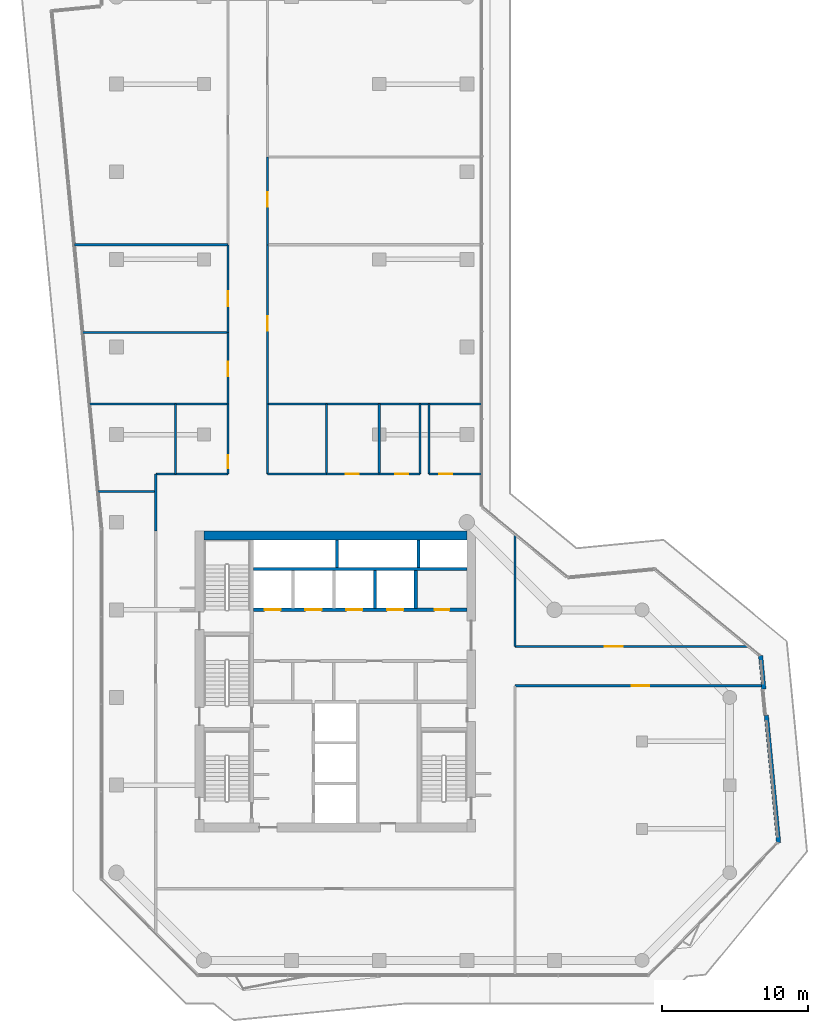
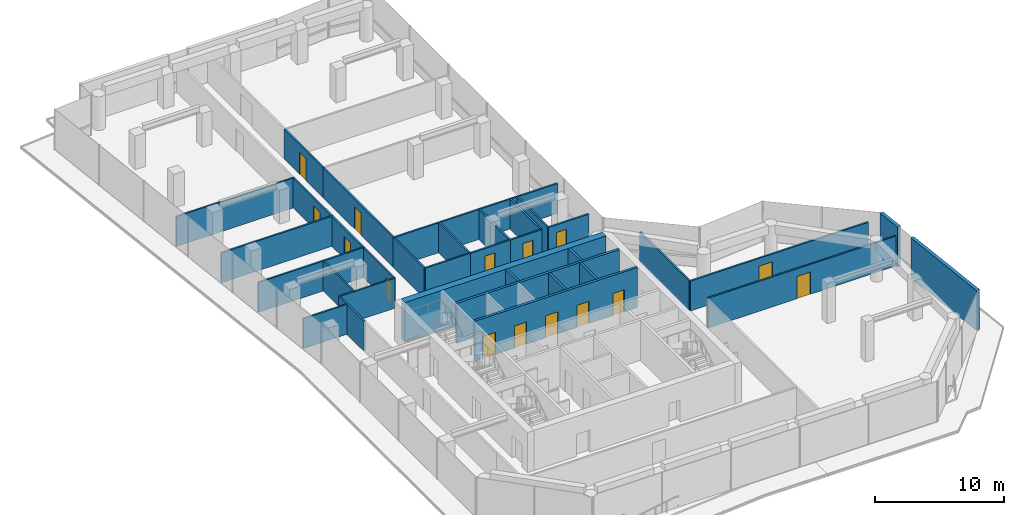
# One storey, part 19 of 22: 34 walls, 15 doors, 15 openings.
"""IFC4 building model written with IfcOpenShell, lengths in metres."""

from ifc_helpers import new_model, si_unit, direction, frame, frame_2d, origin, place, context, subcontext, project, spatial, rectangle, extrude, material, layer, layer_set, type_object, element, fill, save


model = new_model("IFC4")

# Units and contexts
model_context = context("Model", 3, precision=1e-05, world=origin(), true_north=direction((0.0, 1.0)))
body_context = subcontext(model_context, "Body", "Model", "MODEL_VIEW")
ifc_project = project(units=[si_unit("LENGTHUNIT", "METRE"), si_unit("AREAUNIT", "SQUARE_METRE"), si_unit("VOLUMEUNIT", "CUBIC_METRE"), si_unit("PLANEANGLEUNIT", "RADIAN"), si_unit("MASSUNIT", "GRAM", prefix="KILO")], contexts=[model_context])

# Site, building, storey
site_placement = place(None, origin())
site = spatial("IfcSite", under=ifc_project, at=site_placement, CompositionType="ELEMENT")
building_placement = place(site_placement, origin())
building = spatial("IfcBuilding", under=site, at=building_placement, Name="Welwitschia Terrace Campus", CompositionType="ELEMENT")
storey_placement = place(building_placement, frame((0.0, 0.0, 192.800048828125)))
storey = spatial("IfcBuildingStorey", under=building, at=storey_placement, Name="L43", CompositionType="ELEMENT", Elevation=192.800048828125)

# Wall, openings, doors
ifc_material_1 = material(Name="Concrete C32/40", Category="concrete")
ifc_layer_1 = layer(ifc_material_1, 0.22509765625)
ifc_layer_set_1 = layer_set([ifc_layer_1], Name="Concrete C32/40")
wall_type_1 = type_object("IfcWallType", Name="Core partition 225 Concrete C32/40", PredefinedType="PARTITIONING", material=ifc_layer_set_1)
wall_1_placement = place(storey_placement, frame((24.0, 20.0, 0.0), z_axis=(0.0, 0.0, 1.0), x_axis=(-1.0, 0.0, 0.0)))
wall_1 = element("IfcWall", 1, at=wall_1_placement, inside=storey, type_object=wall_type_1, Name="Shaft wall", PredefinedType="PARTITIONING", context=body_context, shape_type="SweptSolid", body=[
    extrude(rectangle(XDim=14.60009765625, YDim=0.22509765625, at=frame_2d((7.300048828125, 0.0))), origin(), (0.0, 0.0, 1.0), 3.800048828125),
])
opening_1_placement = place(wall_1_placement, frame((12.75, 0.0, 0.0)))
opening_1 = element("IfcOpeningElement", 2, at=opening_1_placement, cuts=wall_1, Name="Opening LD", PredefinedType="OPENING", context=body_context, shape_type="SweptSolid", body=[
    extrude(rectangle(XDim=1.10009765625, YDim=2.10009765625, at=frame_2d((0.550048828125, 1.050048828125))), frame((0.0, 0.12255859375, 0.0), z_axis=(0.0, -1.0, 0.0), x_axis=(1.0, 0.0, 0.0)), (0.0, 0.0, 1.0), 0.2451171875),
])
opening_2_placement = place(wall_1_placement, frame((9.949951171875, 0.0, 0.0)))
opening_2 = element("IfcOpeningElement", 3, at=opening_2_placement, cuts=wall_1, Name="Opening LD", PredefinedType="OPENING", context=body_context, shape_type="SweptSolid", body=[
    extrude(rectangle(XDim=1.10009765625, YDim=2.10009765625, at=frame_2d((0.550048828125, 1.050048828125))), frame((0.0, 0.12255859375, 0.0), z_axis=(0.0, -1.0, 0.0), x_axis=(1.0, 0.0, 0.0)), (0.0, 0.0, 1.0), 0.2451171875),
])
opening_3_placement = place(wall_1_placement, frame((7.14990234375, 0.0, 0.0)))
opening_3 = element("IfcOpeningElement", 4, at=opening_3_placement, cuts=wall_1, Name="Opening LD", PredefinedType="OPENING", context=body_context, shape_type="SweptSolid", body=[
    extrude(rectangle(XDim=1.10009765625, YDim=2.10009765625, at=frame_2d((0.550048828125, 1.050048828125))), frame((0.0, 0.12255859375, 0.0), z_axis=(0.0, -1.0, 0.0), x_axis=(1.0, 0.0, 0.0)), (0.0, 0.0, 1.0), 0.2451171875),
])
opening_4_placement = place(wall_1_placement, frame((4.35009765625, 0.0, 0.0)))
opening_4 = element("IfcOpeningElement", 5, at=opening_4_placement, cuts=wall_1, Name="Opening LD", PredefinedType="OPENING", context=body_context, shape_type="SweptSolid", body=[
    extrude(rectangle(XDim=1.10009765625, YDim=2.10009765625, at=frame_2d((0.550048828125, 1.050048828125))), frame((0.0, 0.12255859375, 0.0), z_axis=(0.0, -1.0, 0.0), x_axis=(1.0, 0.0, 0.0)), (0.0, 0.0, 1.0), 0.2451171875),
])
opening_5_placement = place(wall_1_placement, frame((1.199951171875, 0.0, 0.0)))
opening_5 = element("IfcOpeningElement", 6, at=opening_5_placement, cuts=wall_1, Name="Opening DR10", PredefinedType="OPENING", context=body_context, shape_type="SweptSolid", body=[
    extrude(rectangle(XDim=1.0, YDim=2.10009765625, at=frame_2d((0.5, 1.050048828125))), frame((0.0, 0.12255859375, 0.0), z_axis=(0.0, -1.0, 0.0), x_axis=(1.0, 0.0, 0.0)), (0.0, 0.0, 1.0), 0.2451171875),
])
ifc_material_2 = material(Name="Steel S275", Category="steel")
door_type_1 = type_object("IfcDoorType", Name="Core door DR10", OperationType="SINGLE_SWING_LEFT", PredefinedType="DOOR", material=ifc_material_2)
door_1_placement = place(opening_5_placement, origin())
door_1 = element("IfcDoor", 7, at=door_1_placement, inside=storey, type_object=door_type_1, Name="Door EH-D", OperationType="SINGLE_SWING_LEFT", OverallHeight=2.10009765625, OverallWidth=1.0, PredefinedType="DOOR", context=body_context, shape_type="SweptSolid", body=[
    extrude(rectangle(XDim=1.0, YDim=2.10009765625, at=frame_2d((0.5, 1.050048828125))), frame((0.0, 0.02490234375, 0.0), z_axis=(0.0, -1.0, 0.0), x_axis=(1.0, 0.0, 0.0)), (0.0, 0.0, 1.0), 0.050048828125),
])
fill(opening_5, door_1)
ifc_material_3 = material(Name="Stainless steel 304", Category="steel")
door_type_2 = type_object("IfcDoorType", Name="Lift landing door", OperationType="DOUBLE_DOOR_SLIDING", PredefinedType="DOOR", material=ifc_material_3)
door_2_placement = place(opening_1_placement, origin())
door_2 = element("IfcDoor", 8, at=door_2_placement, inside=storey, type_object=door_type_2, Name="Landing door HR1", OperationType="DOUBLE_DOOR_SLIDING", OverallHeight=2.10009765625, OverallWidth=1.10009765625, PredefinedType="DOOR", context=body_context, shape_type="SweptSolid", body=[
    extrude(rectangle(XDim=1.10009765625, YDim=2.10009765625, at=frame_2d((0.550048828125, 1.050048828125))), frame((0.0, 0.02490234375, 0.0), z_axis=(0.0, -1.0, 0.0), x_axis=(1.0, 0.0, 0.0)), (0.0, 0.0, 1.0), 0.050048828125),
])
fill(opening_1, door_2)
door_3_placement = place(opening_2_placement, origin())
door_3 = element("IfcDoor", 9, at=door_3_placement, inside=storey, type_object=door_type_2, Name="Landing door HR2", OperationType="DOUBLE_DOOR_SLIDING", OverallHeight=2.10009765625, OverallWidth=1.10009765625, PredefinedType="DOOR", context=body_context, shape_type="SweptSolid", body=[
    extrude(rectangle(XDim=1.10009765625, YDim=2.10009765625, at=frame_2d((0.550048828125, 1.050048828125))), frame((0.0, 0.02490234375, 0.0), z_axis=(0.0, -1.0, 0.0), x_axis=(1.0, 0.0, 0.0)), (0.0, 0.0, 1.0), 0.050048828125),
])
fill(opening_2, door_3)
door_4_placement = place(opening_3_placement, origin())
door_4 = element("IfcDoor", 10, at=door_4_placement, inside=storey, type_object=door_type_2, Name="Landing door HR3", OperationType="DOUBLE_DOOR_SLIDING", OverallHeight=2.10009765625, OverallWidth=1.10009765625, PredefinedType="DOOR", context=body_context, shape_type="SweptSolid", body=[
    extrude(rectangle(XDim=1.10009765625, YDim=2.10009765625, at=frame_2d((0.550048828125, 1.050048828125))), frame((0.0, 0.02490234375, 0.0), z_axis=(0.0, -1.0, 0.0), x_axis=(1.0, 0.0, 0.0)), (0.0, 0.0, 1.0), 0.050048828125),
])
fill(opening_3, door_4)
door_5_placement = place(opening_4_placement, origin())
door_5 = element("IfcDoor", 11, at=door_5_placement, inside=storey, type_object=door_type_2, Name="Landing door HR4", OperationType="DOUBLE_DOOR_SLIDING", OverallHeight=2.10009765625, OverallWidth=1.10009765625, PredefinedType="DOOR", context=body_context, shape_type="SweptSolid", body=[
    extrude(rectangle(XDim=1.10009765625, YDim=2.10009765625, at=frame_2d((0.550048828125, 1.050048828125))), frame((0.0, 0.02490234375, 0.0), z_axis=(0.0, -1.0, 0.0), x_axis=(1.0, 0.0, 0.0)), (0.0, 0.0, 1.0), 0.050048828125),
])
fill(opening_4, door_5)

# Walls
wall_2_placement = place(storey_placement, frame((9.39990234375, 22.800048828125, 0.0), z_axis=(0.0, 0.0, 1.0), x_axis=(1.0, 0.0, 0.0)))
element("IfcWall", 12, at=wall_2_placement, inside=storey, type_object=wall_type_1, Name="Shaft wall", PredefinedType="PARTITIONING", context=body_context, shape_type="SweptSolid", body=[
    extrude(rectangle(XDim=14.60009765625, YDim=0.22509765625, at=frame_2d((7.300048828125, 0.0))), origin(), (0.0, 0.0, 1.0), 3.800048828125),
])
wall_3_placement = place(storey_placement, frame((20.5, 20.10009765625, 0.0), z_axis=(0.0, 0.0, 1.0), x_axis=(0.0, 1.0, 0.0)))
element("IfcWall", 13, at=wall_3_placement, inside=storey, type_object=wall_type_1, Name="Shaft wall", PredefinedType="PARTITIONING", context=body_context, shape_type="SweptSolid", body=[
    extrude(rectangle(XDim=2.599853515625, YDim=0.22509765625, at=frame_2d((1.2998046875, 0.0))), origin(), (0.0, 0.0, 1.0), 3.800048828125),
])
ifc_material_4 = material(Name="Concrete C50/60", Category="concrete")
ifc_layer_2 = layer(ifc_material_4, 0.199951171875)
ifc_layer_set_2 = layer_set([ifc_layer_2], Name="Concrete C50/60")
wall_type_2 = type_object("IfcWallType", Name="Core wall 200 Concrete C50/60", PredefinedType="SHEAR", material=ifc_layer_set_2)
for number, where, z_axis, x_axis, name in (
    (14, (15.10009765625, 22.89990234375, 0.0), (0.0, 0.0, 1.0), (0.0, 1.0, 0.0), "Core wall"),
    (15, (20.699951171875, 22.89990234375, 0.0), (0.0, 0.0, 1.0), (0.0, 1.0, 0.0), "Core wall"),
):
    element("IfcWall", number, at=place(storey_placement, frame(where, z_axis=z_axis, x_axis=x_axis)), inside=storey, type_object=wall_type_2, Name=name, PredefinedType="SHEAR", context=body_context, shape_type="SweptSolid", body=[
        extrude(rectangle(XDim=1.900146484375, YDim=0.199951171875, at=frame_2d((0.9501953125, 0.0))), origin(), (0.0, 0.0, 1.0), 3.800048828125),
    ])
ifc_material_5 = material(Name="Concrete C60/75", Category="concrete")
ifc_layer_3 = layer(ifc_material_5, 0.60009765625)
ifc_layer_set_3 = layer_set([ifc_layer_3], Name="Concrete C60/75")
wall_type_3 = type_object("IfcWallType", Name="Core wall 600 Concrete C60/75", PredefinedType="SHEAR", material=ifc_layer_set_3)
wall_4_placement = place(storey_placement, frame((6.0, 25.10009765625, 0.0), z_axis=(0.0, 0.0, 1.0), x_axis=(1.0, 0.0, 0.0)))
element("IfcWall", 16, at=wall_4_placement, inside=storey, type_object=wall_type_3, Name="Core outer wall", PredefinedType="SHEAR", context=body_context, shape_type="SweptSolid", body=[
    extrude(rectangle(XDim=18.0, YDim=0.60009765625, at=frame_2d((9.0, 0.0))), origin(), (0.0, 0.0, 1.0), 3.800048828125),
])
ifc_material_6 = material(Name="Gypsum board on steel studs", Category="steel")
ifc_layer_4 = layer(ifc_material_6, 0.14990234375)
ifc_layer_set_4 = layer_set([ifc_layer_4], Name="Gypsum board on steel studs")
wall_type_4 = type_object("IfcWallType", Name="Corridor partition 150 EI 30", PredefinedType="PARTITIONING", material=ifc_layer_set_4)
wall_5_placement = place(storey_placement, frame((-2.8798828125, 45.0, 0.0), z_axis=(0.0, 0.0, 1.0), x_axis=(1.0, 0.0, 0.0)))
element("IfcWall", 17, at=wall_5_placement, inside=storey, type_object=wall_type_4, Name="Partition", PredefinedType="PARTITIONING", context=body_context, shape_type="SweptSolid", body=[
    extrude(rectangle(XDim=10.52978515625, YDim=0.14990234375, at=frame_2d((5.264892578125, 0.0))), origin(), (0.0, 0.0, 1.0), 2.829833984375),
])
wall_6_placement = place(storey_placement, frame((-2.31005859375, 39.0, 0.0), z_axis=(0.0, 0.0, 1.0), x_axis=(1.0, 0.0, 0.0)))
element("IfcWall", 18, at=wall_6_placement, inside=storey, type_object=wall_type_4, Name="Partition", PredefinedType="PARTITIONING", context=body_context, shape_type="SweptSolid", body=[
    extrude(rectangle(XDim=9.9599609375, YDim=0.14990234375, at=frame_2d((4.97998046875, 0.0))), origin(), (0.0, 0.0, 1.0), 2.829833984375),
])
wall_7_placement = place(storey_placement, frame((-1.830078125, 34.10009765625, 0.0), z_axis=(0.0, 0.0, 1.0), x_axis=(1.0, 0.0, 0.0)))
element("IfcWall", 19, at=wall_7_placement, inside=storey, type_object=wall_type_4, Name="Partition", PredefinedType="PARTITIONING", context=body_context, shape_type="SweptSolid", body=[
    extrude(rectangle(XDim=9.47998046875, YDim=0.14990234375, at=frame_2d((4.739990234375, 0.0))), origin(), (0.0, 0.0, 1.0), 2.829833984375),
])
wall_8_placement = place(storey_placement, frame((-1.260009765625, 28.10009765625, 0.0), z_axis=(0.0, 0.0, 1.0), x_axis=(1.0, 0.0, 0.0)))
element("IfcWall", 20, at=wall_8_placement, inside=storey, type_object=wall_type_4, Name="Partition", PredefinedType="PARTITIONING", context=body_context, shape_type="SweptSolid", body=[
    extrude(rectangle(XDim=3.9599609375, YDim=0.14990234375, at=frame_2d((1.97998046875, 0.0))), origin(), (0.0, 0.0, 1.0), 2.829833984375),
])
wall_9_placement = place(storey_placement, frame((2.699951171875, 25.39990234375, 0.0), z_axis=(0.0, 0.0, 1.0), x_axis=(0.0, 1.0, 0.0)))
element("IfcWall", 21, at=wall_9_placement, inside=storey, type_object=wall_type_4, Name="Partition", PredefinedType="PARTITIONING", context=body_context, shape_type="SweptSolid", body=[
    extrude(rectangle(XDim=3.900146484375, YDim=0.14990234375, at=frame_2d((1.9501953125, 0.0))), origin(), (0.0, 0.0, 1.0), 2.829833984375),
])
wall_10_placement = place(storey_placement, frame((2.699951171875, 29.300048828125, 0.0), z_axis=(0.0, 0.0, 1.0), x_axis=(1.0, 0.0, 0.0)))
element("IfcWall", 22, at=wall_10_placement, inside=storey, type_object=wall_type_4, Name="Partition", PredefinedType="PARTITIONING", context=body_context, shape_type="SweptSolid", body=[
    extrude(rectangle(XDim=4.949951171875, YDim=0.14990234375, at=frame_2d((2.47509765625, 0.0))), origin(), (0.0, 0.0, 1.0), 2.829833984375),
])
wall_11_placement = place(storey_placement, frame((4.050048828125, 29.300048828125, 0.0), z_axis=(0.0, 0.0, 1.0), x_axis=(0.0, 1.0, 0.0)))
element("IfcWall", 23, at=wall_11_placement, inside=storey, type_object=wall_type_4, Name="Partition", PredefinedType="PARTITIONING", context=body_context, shape_type="SweptSolid", body=[
    extrude(rectangle(XDim=4.800048828125, YDim=0.14990234375, at=frame_2d((2.39990234375, 0.0))), origin(), (0.0, 0.0, 1.0), 2.829833984375),
])

# Wall, opening, door
wall_12_placement = place(storey_placement, frame((7.64990234375, 29.300048828125, 0.0), z_axis=(0.0, 0.0, 1.0), x_axis=(0.0, 1.0, 0.0)))
wall_12 = element("IfcWall", 24, at=wall_12_placement, inside=storey, type_object=wall_type_4, Name="Partition", PredefinedType="PARTITIONING", context=body_context, shape_type="SweptSolid", body=[
    extrude(rectangle(XDim=4.800048828125, YDim=0.14990234375, at=frame_2d((2.39990234375, 0.0))), origin(), (0.0, 0.0, 1.0), 2.829833984375),
])
opening_6_placement = place(wall_12_placement, frame((0.39990234375, 0.0, 0.0)))
opening_6 = element("IfcOpeningElement", 25, at=opening_6_placement, cuts=wall_12, Name="Opening DI09", PredefinedType="OPENING", context=body_context, shape_type="SweptSolid", body=[
    extrude(rectangle(XDim=0.89990234375, YDim=2.10009765625, at=frame_2d((0.449951171875, 1.050048828125))), frame((0.0, 0.0849609375, 0.0), z_axis=(0.0, -1.0, 0.0), x_axis=(1.0, 0.0, 0.0)), (0.0, 0.0, 1.0), 0.169921875),
])
ifc_material_7 = material(Name="Timber veneered door", Category="wood")
door_type_3 = type_object("IfcDoorType", Name="Interior door DI09", OperationType="NOTDEFINED", PredefinedType="DOOR", material=ifc_material_7)
door_6_placement = place(opening_6_placement, origin())
door_6 = element("IfcDoor", 26, at=door_6_placement, inside=storey, type_object=door_type_3, Name="Door L43 838", OperationType="SINGLE_SWING_LEFT", OverallHeight=2.10009765625, OverallWidth=0.89990234375, PredefinedType="DOOR", context=body_context, shape_type="SweptSolid", body=[
    extrude(rectangle(XDim=0.89990234375, YDim=2.10009765625, at=frame_2d((0.449951171875, 1.050048828125))), frame((0.0, 0.02490234375, 0.0), z_axis=(0.0, -1.0, 0.0), x_axis=(1.0, 0.0, 0.0)), (0.0, 0.0, 1.0), 0.050048828125),
])
fill(opening_6, door_6)

wall_13_placement = place(storey_placement, frame((7.64990234375, 34.10009765625, 0.0), z_axis=(0.0, 0.0, 1.0), x_axis=(0.0, 1.0, 0.0)))
wall_13 = element("IfcWall", 27, at=wall_13_placement, inside=storey, type_object=wall_type_4, Name="Partition", PredefinedType="PARTITIONING", context=body_context, shape_type="SweptSolid", body=[
    extrude(rectangle(XDim=4.89990234375, YDim=0.14990234375, at=frame_2d((2.449951171875, 0.0))), origin(), (0.0, 0.0, 1.0), 2.829833984375),
])
opening_7_placement = place(wall_13_placement, frame((1.89990234375, 0.0, 0.0)))
opening_7 = element("IfcOpeningElement", 28, at=opening_7_placement, cuts=wall_13, Name="Opening DI10", PredefinedType="OPENING", context=body_context, shape_type="SweptSolid", body=[
    extrude(rectangle(XDim=1.0, YDim=2.10009765625, at=frame_2d((0.5, 1.050048828125))), frame((0.0, 0.0849609375, 0.0), z_axis=(0.0, -1.0, 0.0), x_axis=(1.0, 0.0, 0.0)), (0.0, 0.0, 1.0), 0.169921875),
])
ifc_material_8 = material(Name="Timber veneered door", Category="wood")
door_type_4 = type_object("IfcDoorType", Name="Interior door DI10", OperationType="NOTDEFINED", PredefinedType="DOOR", material=ifc_material_8)
door_7_placement = place(opening_7_placement, origin())
door_7 = element("IfcDoor", 29, at=door_7_placement, inside=storey, type_object=door_type_4, Name="Door L43 839", OperationType="SINGLE_SWING_RIGHT", OverallHeight=2.10009765625, OverallWidth=1.0, PredefinedType="DOOR", context=body_context, shape_type="SweptSolid", body=[
    extrude(rectangle(XDim=1.0, YDim=2.10009765625, at=frame_2d((0.5, 1.050048828125))), frame((0.0, 0.02490234375, 0.0), z_axis=(0.0, -1.0, 0.0), x_axis=(1.0, 0.0, 0.0)), (0.0, 0.0, 1.0), 0.050048828125),
])
fill(opening_7, door_7)

wall_14_placement = place(storey_placement, frame((7.64990234375, 39.0, 0.0), z_axis=(0.0, 0.0, 1.0), x_axis=(0.0, 1.0, 0.0)))
wall_14 = element("IfcWall", 30, at=wall_14_placement, inside=storey, type_object=wall_type_4, Name="Partition", PredefinedType="PARTITIONING", context=body_context, shape_type="SweptSolid", body=[
    extrude(rectangle(XDim=6.0, YDim=0.14990234375, at=frame_2d((3.0, 0.0))), origin(), (0.0, 0.0, 1.0), 2.829833984375),
])
opening_8_placement = place(wall_14_placement, frame((1.800048828125, 0.0, 0.0)))
opening_8 = element("IfcOpeningElement", 31, at=opening_8_placement, cuts=wall_14, Name="Opening DI10", PredefinedType="OPENING", context=body_context, shape_type="SweptSolid", body=[
    extrude(rectangle(XDim=1.0, YDim=2.10009765625, at=frame_2d((0.5, 1.050048828125))), frame((0.0, 0.0849609375, 0.0), z_axis=(0.0, -1.0, 0.0), x_axis=(1.0, 0.0, 0.0)), (0.0, 0.0, 1.0), 0.169921875),
])
door_8_placement = place(opening_8_placement, origin())
door_8 = element("IfcDoor", 32, at=door_8_placement, inside=storey, type_object=door_type_4, Name="Door L43 840", OperationType="SINGLE_SWING_LEFT", OverallHeight=2.10009765625, OverallWidth=1.0, PredefinedType="DOOR", context=body_context, shape_type="SweptSolid", body=[
    extrude(rectangle(XDim=1.0, YDim=2.10009765625, at=frame_2d((0.5, 1.050048828125))), frame((0.0, 0.02490234375, 0.0), z_axis=(0.0, -1.0, 0.0), x_axis=(1.0, 0.0, 0.0)), (0.0, 0.0, 1.0), 0.050048828125),
])
fill(opening_8, door_8)

# Walls
wall_15_placement = place(storey_placement, frame((10.35009765625, 29.300048828125, 0.0), z_axis=(0.0, 0.0, 1.0), x_axis=(0.0, 1.0, 0.0)))
element("IfcWall", 33, at=wall_15_placement, inside=storey, type_object=wall_type_4, Name="Partition", PredefinedType="PARTITIONING", context=body_context, shape_type="SweptSolid", body=[
    extrude(rectangle(XDim=4.800048828125, YDim=0.14990234375, at=frame_2d((2.39990234375, 0.0))), origin(), (0.0, 0.0, 1.0), 2.829833984375),
])
wall_16_placement = place(storey_placement, frame((10.35009765625, 29.300048828125, 0.0), z_axis=(0.0, 0.0, 1.0), x_axis=(1.0, 0.0, 0.0)))
element("IfcWall", 34, at=wall_16_placement, inside=storey, type_object=wall_type_4, Name="Partition", PredefinedType="PARTITIONING", context=body_context, shape_type="SweptSolid", body=[
    extrude(rectangle(XDim=4.0498046875, YDim=0.14990234375, at=frame_2d((2.02490234375, 0.0))), origin(), (0.0, 0.0, 1.0), 2.829833984375),
])
wall_17_placement = place(storey_placement, frame((10.35009765625, 34.10009765625, 0.0), z_axis=(0.0, 0.0, 1.0), x_axis=(1.0, 0.0, 0.0)))
element("IfcWall", 35, at=wall_17_placement, inside=storey, type_object=wall_type_4, Name="Partition", PredefinedType="PARTITIONING", context=body_context, shape_type="SweptSolid", body=[
    extrude(rectangle(XDim=14.659912109375, YDim=0.14990234375, at=frame_2d((7.330078125, 0.0))), origin(), (0.0, 0.0, 1.0), 2.829833984375),
])

# Wall, opening, door
wall_18_placement = place(storey_placement, frame((10.35009765625, 45.0, 0.0), z_axis=(0.0, 0.0, 1.0), x_axis=(0.0, -1.0, 0.0)))
wall_18 = element("IfcWall", 36, at=wall_18_placement, inside=storey, type_object=wall_type_4, Name="Partition", PredefinedType="PARTITIONING", context=body_context, shape_type="SweptSolid", body=[
    extrude(rectangle(XDim=10.89990234375, YDim=0.14990234375, at=frame_2d((5.449951171875, 0.0))), origin(), (0.0, 0.0, 1.0), 2.829833984375),
])
opening_9_placement = place(wall_18_placement, frame((4.89990234375, 0.0, 0.0)))
opening_9 = element("IfcOpeningElement", 37, at=opening_9_placement, cuts=wall_18, Name="Opening DI10", PredefinedType="OPENING", context=body_context, shape_type="SweptSolid", body=[
    extrude(rectangle(XDim=1.0, YDim=2.10009765625, at=frame_2d((0.5, 1.050048828125))), frame((0.0, 0.0849609375, 0.0), z_axis=(0.0, -1.0, 0.0), x_axis=(1.0, 0.0, 0.0)), (0.0, 0.0, 1.0), 0.169921875),
])
door_9_placement = place(opening_9_placement, origin())
door_9 = element("IfcDoor", 38, at=door_9_placement, inside=storey, type_object=door_type_4, Name="Door L43 842", OperationType="SINGLE_SWING_LEFT", OverallHeight=2.10009765625, OverallWidth=1.0, PredefinedType="DOOR", context=body_context, shape_type="SweptSolid", body=[
    extrude(rectangle(XDim=1.0, YDim=2.10009765625, at=frame_2d((0.5, 1.050048828125))), frame((0.0, 0.02490234375, 0.0), z_axis=(0.0, -1.0, 0.0), x_axis=(1.0, 0.0, 0.0)), (0.0, 0.0, 1.0), 0.050048828125),
])
fill(opening_9, door_9)

wall_19_placement = place(storey_placement, frame((10.35009765625, 51.0, 0.0), z_axis=(0.0, 0.0, 1.0), x_axis=(0.0, -1.0, 0.0)))
wall_19 = element("IfcWall", 39, at=wall_19_placement, inside=storey, type_object=wall_type_4, Name="Partition", PredefinedType="PARTITIONING", context=body_context, shape_type="SweptSolid", body=[
    extrude(rectangle(XDim=6.0, YDim=0.14990234375, at=frame_2d((3.0, 0.0))), origin(), (0.0, 0.0, 1.0), 2.829833984375),
])
opening_10_placement = place(wall_19_placement, frame((2.39990234375, 0.0, 0.0)))
opening_10 = element("IfcOpeningElement", 40, at=opening_10_placement, cuts=wall_19, Name="Opening DI10", PredefinedType="OPENING", context=body_context, shape_type="SweptSolid", body=[
    extrude(rectangle(XDim=1.0, YDim=2.10009765625, at=frame_2d((0.5, 1.050048828125))), frame((0.0, 0.0849609375, 0.0), z_axis=(0.0, -1.0, 0.0), x_axis=(1.0, 0.0, 0.0)), (0.0, 0.0, 1.0), 0.169921875),
])
door_10_placement = place(opening_10_placement, origin())
door_10 = element("IfcDoor", 41, at=door_10_placement, inside=storey, type_object=door_type_4, Name="Door L43 843", OperationType="SINGLE_SWING_RIGHT", OverallHeight=2.10009765625, OverallWidth=1.0, PredefinedType="DOOR", context=body_context, shape_type="SweptSolid", body=[
    extrude(rectangle(XDim=1.0, YDim=2.10009765625, at=frame_2d((0.5, 1.050048828125))), frame((0.0, 0.02490234375, 0.0), z_axis=(0.0, -1.0, 0.0), x_axis=(1.0, 0.0, 0.0)), (0.0, 0.0, 1.0), 0.050048828125),
])
fill(opening_10, door_10)

# Wall
wall_20_placement = place(storey_placement, frame((14.39990234375, 29.300048828125, 0.0), z_axis=(0.0, 0.0, 1.0), x_axis=(0.0, 1.0, 0.0)))
element("IfcWall", 42, at=wall_20_placement, inside=storey, type_object=wall_type_4, Name="Partition", PredefinedType="PARTITIONING", context=body_context, shape_type="SweptSolid", body=[
    extrude(rectangle(XDim=4.800048828125, YDim=0.14990234375, at=frame_2d((2.39990234375, 0.0))), origin(), (0.0, 0.0, 1.0), 2.829833984375),
])

# Wall, opening, door
wall_21_placement = place(storey_placement, frame((14.39990234375, 29.300048828125, 0.0), z_axis=(0.0, 0.0, 1.0), x_axis=(1.0, 0.0, 0.0)))
wall_21 = element("IfcWall", 43, at=wall_21_placement, inside=storey, type_object=wall_type_4, Name="Partition", PredefinedType="PARTITIONING", context=body_context, shape_type="SweptSolid", body=[
    extrude(rectangle(XDim=3.60009765625, YDim=0.14990234375, at=frame_2d((1.800048828125, 0.0))), origin(), (0.0, 0.0, 1.0), 2.829833984375),
])
opening_11_placement = place(wall_21_placement, frame((1.300048828125, 0.0, 0.0)))
opening_11 = element("IfcOpeningElement", 44, at=opening_11_placement, cuts=wall_21, Name="Opening DI09", PredefinedType="OPENING", context=body_context, shape_type="SweptSolid", body=[
    extrude(rectangle(XDim=0.89990234375, YDim=2.10009765625, at=frame_2d((0.449951171875, 1.050048828125))), frame((0.0, 0.0849609375, 0.0), z_axis=(0.0, -1.0, 0.0), x_axis=(1.0, 0.0, 0.0)), (0.0, 0.0, 1.0), 0.169921875),
])
door_11_placement = place(opening_11_placement, origin())
door_11 = element("IfcDoor", 45, at=door_11_placement, inside=storey, type_object=door_type_3, Name="Door L43 845", OperationType="SINGLE_SWING_RIGHT", OverallHeight=2.10009765625, OverallWidth=0.89990234375, PredefinedType="DOOR", context=body_context, shape_type="SweptSolid", body=[
    extrude(rectangle(XDim=0.89990234375, YDim=2.10009765625, at=frame_2d((0.449951171875, 1.050048828125))), frame((0.0, 0.02490234375, 0.0), z_axis=(0.0, -1.0, 0.0), x_axis=(1.0, 0.0, 0.0)), (0.0, 0.0, 1.0), 0.050048828125),
])
fill(opening_11, door_11)

# Wall
wall_22_placement = place(storey_placement, frame((18.0, 29.300048828125, 0.0), z_axis=(0.0, 0.0, 1.0), x_axis=(0.0, 1.0, 0.0)))
element("IfcWall", 46, at=wall_22_placement, inside=storey, type_object=wall_type_4, Name="Partition", PredefinedType="PARTITIONING", context=body_context, shape_type="SweptSolid", body=[
    extrude(rectangle(XDim=4.800048828125, YDim=0.14990234375, at=frame_2d((2.39990234375, 0.0))), origin(), (0.0, 0.0, 1.0), 2.829833984375),
])

# Wall, opening, door
wall_23_placement = place(storey_placement, frame((18.0, 29.300048828125, 0.0), z_axis=(0.0, 0.0, 1.0), x_axis=(1.0, 0.0, 0.0)))
wall_23 = element("IfcWall", 47, at=wall_23_placement, inside=storey, type_object=wall_type_4, Name="Partition", PredefinedType="PARTITIONING", context=body_context, shape_type="SweptSolid", body=[
    extrude(rectangle(XDim=2.800048828125, YDim=0.14990234375, at=frame_2d((1.39990234375, 0.0))), origin(), (0.0, 0.0, 1.0), 2.829833984375),
])
opening_12_placement = place(wall_23_placement, frame((1.10009765625, 0.0, 0.0)))
opening_12 = element("IfcOpeningElement", 48, at=opening_12_placement, cuts=wall_23, Name="Opening DI09", PredefinedType="OPENING", context=body_context, shape_type="SweptSolid", body=[
    extrude(rectangle(XDim=0.89990234375, YDim=2.10009765625, at=frame_2d((0.449951171875, 1.050048828125))), frame((0.0, 0.0849609375, 0.0), z_axis=(0.0, -1.0, 0.0), x_axis=(1.0, 0.0, 0.0)), (0.0, 0.0, 1.0), 0.169921875),
])
door_12_placement = place(opening_12_placement, origin())
door_12 = element("IfcDoor", 49, at=door_12_placement, inside=storey, type_object=door_type_3, Name="Door L43 846", OperationType="SINGLE_SWING_LEFT", OverallHeight=2.10009765625, OverallWidth=0.89990234375, PredefinedType="DOOR", context=body_context, shape_type="SweptSolid", body=[
    extrude(rectangle(XDim=0.89990234375, YDim=2.10009765625, at=frame_2d((0.449951171875, 1.050048828125))), frame((0.0, 0.02490234375, 0.0), z_axis=(0.0, -1.0, 0.0), x_axis=(1.0, 0.0, 0.0)), (0.0, 0.0, 1.0), 0.050048828125),
])
fill(opening_12, door_12)

# Walls
for number, where, z_axis, x_axis, name in (
    (50, (20.800048828125, 29.300048828125, 0.0), (0.0, 0.0, 1.0), (0.0, 1.0, 0.0), "Partition"),
    (51, (21.409912109375, 29.300048828125, 0.0), (0.0, 0.0, 1.0), (0.0, 1.0, 0.0), "Partition"),
):
    element("IfcWall", number, at=place(storey_placement, frame(where, z_axis=z_axis, x_axis=x_axis)), inside=storey, type_object=wall_type_4, Name=name, PredefinedType="PARTITIONING", context=body_context, shape_type="SweptSolid", body=[
        extrude(rectangle(XDim=4.800048828125, YDim=0.14990234375, at=frame_2d((2.39990234375, 0.0))), origin(), (0.0, 0.0, 1.0), 2.829833984375),
    ])

# Wall, opening, door
wall_24_placement = place(storey_placement, frame((21.409912109375, 29.300048828125, 0.0), z_axis=(0.0, 0.0, 1.0), x_axis=(1.0, 0.0, 0.0)))
wall_24 = element("IfcWall", 52, at=wall_24_placement, inside=storey, type_object=wall_type_4, Name="Partition", PredefinedType="PARTITIONING", context=body_context, shape_type="SweptSolid", body=[
    extrude(rectangle(XDim=3.60009765625, YDim=0.14990234375, at=frame_2d((1.800048828125, 0.0))), origin(), (0.0, 0.0, 1.0), 2.829833984375),
])
opening_13_placement = place(wall_24_placement, frame((0.699951171875, 0.0, 0.0)))
opening_13 = element("IfcOpeningElement", 53, at=opening_13_placement, cuts=wall_24, Name="Opening DI09", PredefinedType="OPENING", context=body_context, shape_type="SweptSolid", body=[
    extrude(rectangle(XDim=0.89990234375, YDim=2.10009765625, at=frame_2d((0.449951171875, 1.050048828125))), frame((0.0, 0.0849609375, 0.0), z_axis=(0.0, -1.0, 0.0), x_axis=(1.0, 0.0, 0.0)), (0.0, 0.0, 1.0), 0.169921875),
])
door_13_placement = place(opening_13_placement, origin())
door_13 = element("IfcDoor", 54, at=door_13_placement, inside=storey, type_object=door_type_3, Name="Door L43 847", OperationType="SINGLE_SWING_RIGHT", OverallHeight=2.10009765625, OverallWidth=0.89990234375, PredefinedType="DOOR", context=body_context, shape_type="SweptSolid", body=[
    extrude(rectangle(XDim=0.89990234375, YDim=2.10009765625, at=frame_2d((0.449951171875, 1.050048828125))), frame((0.0, 0.02490234375, 0.0), z_axis=(0.0, -1.0, 0.0), x_axis=(1.0, 0.0, 0.0)), (0.0, 0.0, 1.0), 0.050048828125),
])
fill(opening_13, door_13)

wall_25_placement = place(storey_placement, frame((27.300048828125, 14.800048828125, 0.0), z_axis=(0.0, 0.0, 1.0), x_axis=(1.0, 0.0, 0.0)))
wall_25 = element("IfcWall", 55, at=wall_25_placement, inside=storey, type_object=wall_type_4, Name="Partition", PredefinedType="PARTITIONING", context=body_context, shape_type="SweptSolid", body=[
    extrude(rectangle(XDim=17.054931640625, YDim=0.14990234375, at=frame_2d((8.52734375, 0.0))), origin(), (0.0, 0.0, 1.0), 2.829833984375),
])
opening_14_placement = place(wall_25_placement, frame((8.0, 0.0, 0.0)))
opening_14 = element("IfcOpeningElement", 56, at=opening_14_placement, cuts=wall_25, Name="Opening DI12", PredefinedType="OPENING", context=body_context, shape_type="SweptSolid", body=[
    extrude(rectangle(XDim=1.199951171875, YDim=2.10009765625, at=frame_2d((0.60009765625, 1.050048828125))), frame((0.0, 0.0849609375, 0.0), z_axis=(0.0, -1.0, 0.0), x_axis=(1.0, 0.0, 0.0)), (0.0, 0.0, 1.0), 0.169921875),
])
ifc_material_9 = material(Name="Timber veneered door", Category="wood")
door_type_5 = type_object("IfcDoorType", Name="Interior door DI12", OperationType="NOTDEFINED", PredefinedType="DOOR", material=ifc_material_9)
door_14_placement = place(opening_14_placement, origin())
door_14 = element("IfcDoor", 57, at=door_14_placement, inside=storey, type_object=door_type_5, Name="Door L43 849", OperationType="SINGLE_SWING_RIGHT", OverallHeight=2.10009765625, OverallWidth=1.199951171875, PredefinedType="DOOR", context=body_context, shape_type="SweptSolid", body=[
    extrude(rectangle(XDim=1.199951171875, YDim=2.10009765625, at=frame_2d((0.60009765625, 1.050048828125))), frame((0.0, 0.02490234375, 0.0), z_axis=(0.0, -1.0, 0.0), x_axis=(1.0, 0.0, 0.0)), (0.0, 0.0, 1.0), 0.050048828125),
])
fill(opening_14, door_14)

# Wall
wall_26_placement = place(storey_placement, frame((27.300048828125, 17.5, 0.0), z_axis=(0.0, 0.0, 1.0), x_axis=(0.0, 1.0, 0.0)))
element("IfcWall", 58, at=wall_26_placement, inside=storey, type_object=wall_type_4, Name="Partition", PredefinedType="PARTITIONING", context=body_context, shape_type="SweptSolid", body=[
    extrude(rectangle(XDim=7.659912109375, YDim=0.14990234375, at=frame_2d((3.830078125, 0.0))), origin(), (0.0, 0.0, 1.0), 2.829833984375),
])

# Wall, opening, door
wall_27_placement = place(storey_placement, frame((27.300048828125, 17.5, 0.0), z_axis=(0.0, 0.0, 1.0), x_axis=(1.0, 0.0, 0.0)))
wall_27 = element("IfcWall", 59, at=wall_27_placement, inside=storey, type_object=wall_type_4, Name="Partition", PredefinedType="PARTITIONING", context=body_context, shape_type="SweptSolid", body=[
    extrude(rectangle(XDim=15.9599609375, YDim=0.14990234375, at=frame_2d((7.97998046875, 0.0))), origin(), (0.0, 0.0, 1.0), 2.829833984375),
])
opening_15_placement = place(wall_27_placement, frame((6.159912109375, 0.0, 0.0)))
opening_15 = element("IfcOpeningElement", 60, at=opening_15_placement, cuts=wall_27, Name="Opening DI12", PredefinedType="OPENING", context=body_context, shape_type="SweptSolid", body=[
    extrude(rectangle(XDim=1.199951171875, YDim=2.10009765625, at=frame_2d((0.60009765625, 1.050048828125))), frame((0.0, 0.0849609375, 0.0), z_axis=(0.0, -1.0, 0.0), x_axis=(1.0, 0.0, 0.0)), (0.0, 0.0, 1.0), 0.169921875),
])
door_15_placement = place(opening_15_placement, origin())
door_15 = element("IfcDoor", 61, at=door_15_placement, inside=storey, type_object=door_type_5, Name="Door L43 850", OperationType="SINGLE_SWING_LEFT", OverallHeight=2.10009765625, OverallWidth=1.199951171875, PredefinedType="DOOR", context=body_context, shape_type="SweptSolid", body=[
    extrude(rectangle(XDim=1.199951171875, YDim=2.10009765625, at=frame_2d((0.60009765625, 1.050048828125))), frame((0.0, 0.02490234375, 0.0), z_axis=(0.0, -1.0, 0.0), x_axis=(1.0, 0.0, 0.0)), (0.0, 0.0, 1.0), 0.050048828125),
])
fill(opening_15, door_15)

# Walls
ifc_material_10 = material(Name="Concrete C40/50", Category="concrete")
ifc_layer_5 = layer(ifc_material_10, 0.300048828125)
ifc_layer_set_5 = layer_set([ifc_layer_5], Name="Concrete C40/50")
wall_type_5 = type_object("IfcWallType", Name="Mass wall 300", PredefinedType="SOLIDWALL", material=ifc_layer_set_5)
wall_28_placement = place(storey_placement, frame((45.349853515625, 4.0595703125, 0.0), z_axis=(0.0, 0.0, 1.0), x_axis=(-0.095845739651, 0.995396199606, 0.0)))
element("IfcWall", 62, at=wall_28_placement, inside=storey, type_object=wall_type_5, Name="Mass wall L43.6.0", PredefinedType="SOLIDWALL", context=body_context, shape_type="SweptSolid", body=[
    extrude(rectangle(XDim=8.75732421875, YDim=0.300048828125, at=frame_2d((4.378662109375, 0.0))), origin(), (0.0, 0.0, 1.0), 3.800048828125),
])
wall_29_placement = place(storey_placement, frame((44.337890625, 14.568359375, 0.0), z_axis=(0.0, 0.0, 1.0), x_axis=(-0.095802677318, 0.995400345097, 0.0)))
element("IfcWall", 63, at=wall_29_placement, inside=storey, type_object=wall_type_5, Name="Mass wall L43.6.1", PredefinedType="SOLIDWALL", context=body_context, shape_type="SweptSolid", body=[
    extrude(rectangle(XDim=2.319091796875, YDim=0.300048828125, at=frame_2d((1.15966796875, 0.0))), origin(), (0.0, 0.0, 1.0), 3.800048828125),
])
ifc_material_11 = material(Name="Concrete C32/40", Category="concrete")
ifc_layer_6 = layer(ifc_material_11, 0.199951171875)
ifc_layer_set_6 = layer_set([ifc_layer_6], Name="Concrete C32/40")
wall_type_6 = type_object("IfcWallType", Name="Shaft wall 200 Concrete C32/40", PredefinedType="SOLIDWALL", material=ifc_layer_set_6)
wall_30_placement = place(storey_placement, frame((17.699951171875, 20.10009765625, 0.0), z_axis=(0.0, 0.0, 1.0), x_axis=(0.0, 1.0, 0.0)))
element("IfcWall", 64, at=wall_30_placement, inside=storey, type_object=wall_type_6, Name="Shaft wall", PredefinedType="SOLIDWALL", context=body_context, shape_type="SweptSolid", body=[
    extrude(rectangle(XDim=2.599853515625, YDim=0.199951171875, at=frame_2d((1.2998046875, 0.0))), origin(), (0.0, 0.0, 1.0), 3.800048828125),
])

save(model, "model.ifc")
